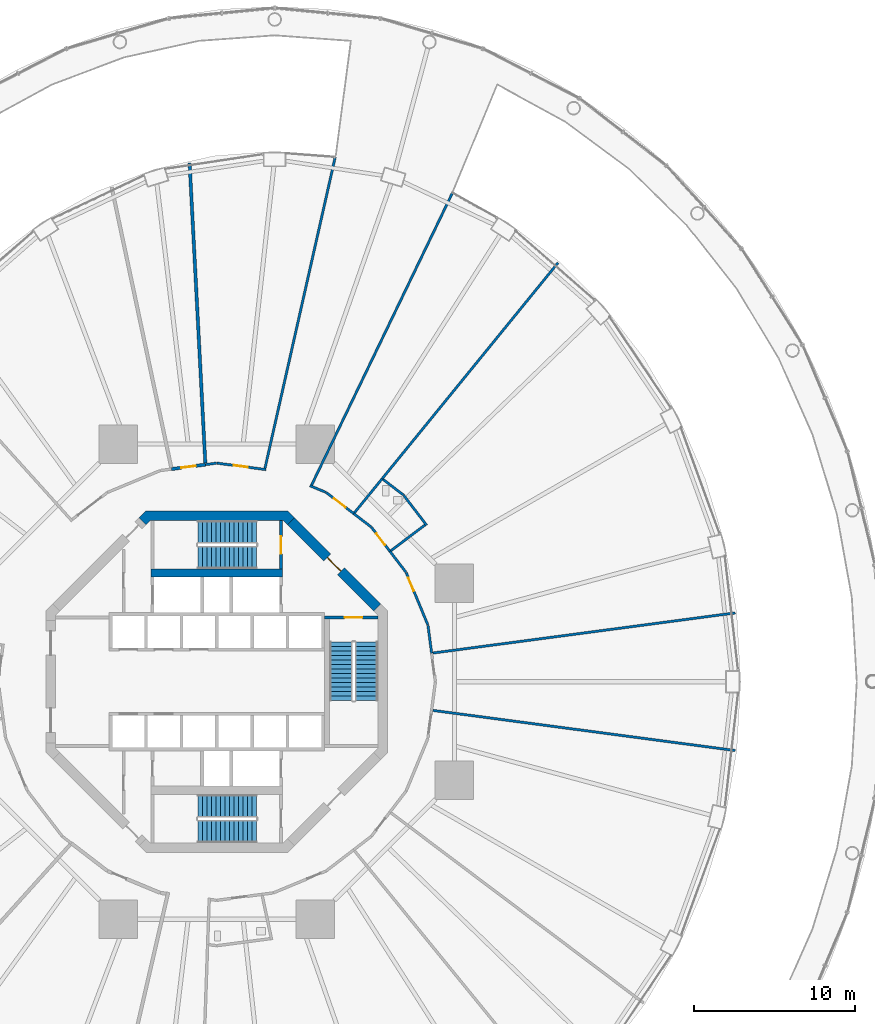
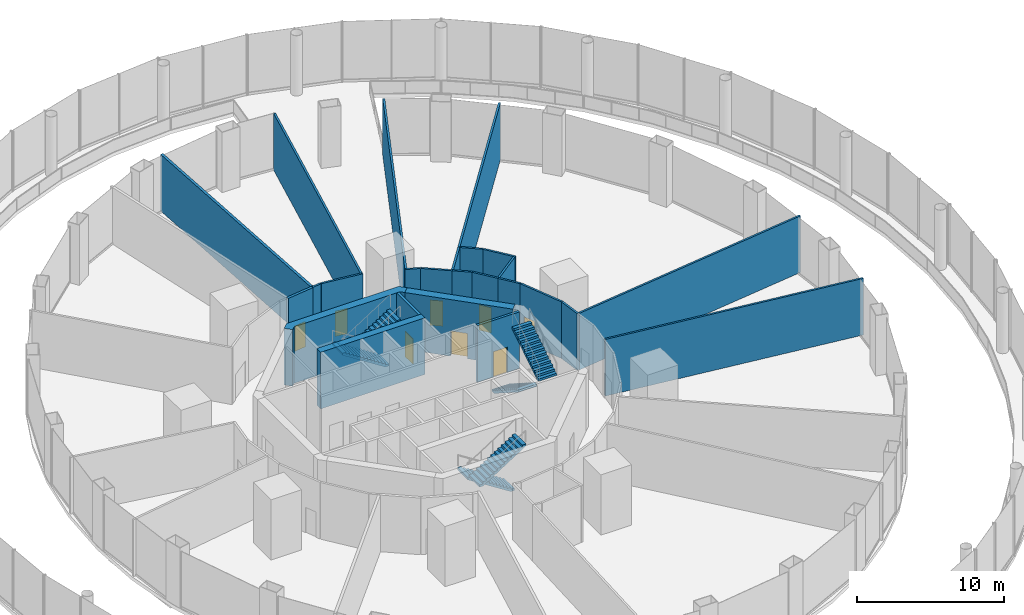
# One storey, part 44 of 47: 25 walls, 8 doors, 6 stair flights, 8 openings, 3 elements without a shape of their own.
"""IFC4 building model written with IfcOpenShell, lengths in metres."""

from ifc_helpers import new_model, si_unit, direction, frame, frame_2d, origin, place, context, subcontext, project, spatial, polyline, rectangle, outline, extrude, material, layer, layer_set, type_object, element, fill, aggregate, save


model = new_model("IFC4")

# Units and contexts
model_context = context("Model", 3, precision=1e-05, world=origin(), true_north=direction((0.0, 1.0)))
body_context = subcontext(model_context, "Body", "Model", "MODEL_VIEW")
ifc_project = project(units=[si_unit("LENGTHUNIT", "METRE"), si_unit("AREAUNIT", "SQUARE_METRE"), si_unit("VOLUMEUNIT", "CUBIC_METRE"), si_unit("PLANEANGLEUNIT", "RADIAN"), si_unit("MASSUNIT", "GRAM", prefix="KILO")], contexts=[model_context])

# Site, building, storey
site_placement = place(None, origin())
site = spatial("IfcSite", under=ifc_project, at=site_placement, CompositionType="ELEMENT")
building_placement = place(site_placement, origin())
building = spatial("IfcBuilding", under=site, at=building_placement, Name="Nagisa Residences", CompositionType="ELEMENT")
storey_placement = place(building_placement, frame((0.0, 0.0, 17.0)))
storey = spatial("IfcBuildingStorey", under=building, at=storey_placement, Name="L03", CompositionType="ELEMENT", Elevation=17.0)

# Wall, opening, door
ifc_material_1 = material(Name="Concrete C60", Category="concrete")
ifc_layer_1 = layer(ifc_material_1, 0.60009765625)
ifc_layer_set_1 = layer_set([ifc_layer_1], Name="Core shear wall 600")
wall_type_1 = type_object("IfcWallType", Name="Core shear wall 600", PredefinedType="SHEAR", material=ifc_layer_set_1)
wall_1_placement = place(storey_placement, frame((9.98828125, 4.613037109375, 0.0), z_axis=(0.0, 0.0, 1.0), x_axis=(-0.707106781187, 0.707106781187, 0.0)))
wall_1 = element("IfcWall", 1, at=wall_1_placement, inside=storey, type_object=wall_type_1, Name="wall:L03:core:flat1", PredefinedType="SHEAR", context=body_context, shape_type="SweptSolid", body=[
    extrude(rectangle(XDim=7.601806640625, YDim=0.60009765625, at=frame_2d((3.80078125, 0.0))), origin(), (0.0, 0.0, 1.0), 4.699951171875),
])
opening_1_placement = place(wall_1_placement, frame((3.200927734375, 0.0, 0.0)))
opening_1 = element("IfcOpeningElement", 2, at=opening_1_placement, cuts=wall_1, Name="Opening L03-C15", PredefinedType="OPENING", context=body_context, shape_type="SweptSolid", body=[
    extrude(rectangle(XDim=1.199951171875, YDim=2.10009765625, at=frame_2d((0.60009765625, 1.050048828125))), frame((0.0, 0.31005859375, 0.0), z_axis=(0.0, -1.0, 0.0), x_axis=(1.0, 0.0, 0.0)), (0.0, 0.0, 1.0), 0.6201171875),
])
ifc_material_2 = material(Name="Steel fire door", Category="steel")
door_type_1 = type_object("IfcDoorType", Name="Fire door EI60 1200x2100 single swing", OperationType="NOTDEFINED", PredefinedType="DOOR", material=ifc_material_2)
door_1_placement = place(opening_1_placement, origin())
door_1 = element("IfcDoor", 3, at=door_1_placement, inside=storey, type_object=door_type_1, Name="Firefighting lobby 1 door L03", OperationType="SINGLE_SWING_RIGHT", OverallHeight=2.10009765625, OverallWidth=1.199951171875, PredefinedType="DOOR", context=body_context, shape_type="SweptSolid", body=[
    extrude(rectangle(XDim=1.199951171875, YDim=2.10009765625, at=frame_2d((0.60009765625, 1.050048828125))), frame((0.0, 0.02490234375, 0.0), z_axis=(0.0, -1.0, 0.0), x_axis=(1.0, 0.0, 0.0)), (0.0, 0.0, 1.0), 0.050048828125),
])
fill(opening_1, door_1)

# Wall
wall_2_placement = place(storey_placement, origin())
element("IfcWall", 4, at=wall_2_placement, inside=storey, type_object=wall_type_1, Name="wall:L03:core:flat2", PredefinedType="SHEAR", context=body_context, shape_type="SweptSolid", body=[
    extrude(outline(polyline([(-4.15234375, 10.024658203125), (-4.40087890625, 9.776123046875), (-4.8251953125, 10.200439453125), (-4.40087890625, 10.62451171875), (4.40087890625, 10.62451171875), (4.8251953125, 10.200439453125), (4.40087890625, 9.776123046875), (4.15234375, 10.024658203125), (-4.15234375, 10.024658203125)])), origin(), (0.0, 0.0, 1.0), 4.699951171875),
])

# Wall, opening, door
ifc_material_3 = material(Name="Gypsum board on steel studs", Category="steel")
ifc_layer_2 = layer(ifc_material_3, 0.199951171875)
ifc_layer_set_2 = layer_set([ifc_layer_2], Name="Plant room wall EI120 200")
wall_type_2 = type_object("IfcWallType", Name="Plant room wall EI120 200", PredefinedType="PARTITIONING", material=ifc_layer_set_2)
wall_3_placement = place(storey_placement, frame((-2.81201171875, 13.229736328125, 0.0), z_axis=(0.0, 0.0, 1.0), x_axis=(0.991438625664, 0.130573548402, 0.0)))
wall_3 = element("IfcWall", 5, at=wall_3_placement, inside=storey, type_object=wall_type_2, Name="wall:L03:am055", PredefinedType="PARTITIONING", context=body_context, shape_type="SweptSolid", body=[
    extrude(rectangle(XDim=2.1220703125, YDim=0.199951171875, at=frame_2d((1.06103515625, 0.0))), origin(), (0.0, 0.0, 1.0), 4.699951171875),
])
opening_2_placement = place(wall_3_placement, frame((0.611083984375, 0.0, 0.0)))
opening_2 = element("IfcOpeningElement", 6, at=opening_2_placement, cuts=wall_3, Name="Opening L03-A05", PredefinedType="OPENING", context=body_context, shape_type="SweptSolid", body=[
    extrude(rectangle(XDim=0.89990234375, YDim=2.10009765625, at=frame_2d((0.449951171875, 1.050048828125))), frame((0.0, 0.10986328125, 0.0), z_axis=(0.0, -1.0, 0.0), x_axis=(1.0, 0.0, 0.0)), (0.0, 0.0, 1.0), 0.219970703125),
])
ifc_material_4 = material(Name="Steel fire door", Category="steel")
door_type_2 = type_object("IfcDoorType", Name="Fire door EI120 900x2100 single swing", OperationType="NOTDEFINED", PredefinedType="DOOR", material=ifc_material_4)
door_2_placement = place(opening_2_placement, origin())
door_2 = element("IfcDoor", 7, at=door_2_placement, inside=storey, type_object=door_type_2, Name="Cinema projection room door", OperationType="SINGLE_SWING_LEFT", OverallHeight=2.10009765625, OverallWidth=0.89990234375, PredefinedType="DOOR", context=body_context, shape_type="SweptSolid", body=[
    extrude(rectangle(XDim=0.89990234375, YDim=2.10009765625, at=frame_2d((0.449951171875, 1.050048828125))), frame((0.0, 0.02490234375, 0.0), z_axis=(0.0, -1.0, 0.0), x_axis=(1.0, 0.0, 0.0)), (0.0, 0.0, 1.0), 0.050048828125),
])
fill(opening_2, door_2)

# Walls
wall_4_placement = place(storey_placement, frame((-0.713134765625, 13.60693359375, 0.0), z_axis=(0.0, 0.0, 1.0), x_axis=(-0.05233398673, 0.99862963797, 0.0)))
element("IfcWall", 8, at=wall_4_placement, inside=storey, type_object=wall_type_2, Name="wall:L03:am056", PredefinedType="PARTITIONING", context=body_context, shape_type="SweptSolid", body=[
    extrude(rectangle(XDim=18.69287109375, YDim=0.199951171875, at=frame_2d((9.346435546875, 0.0))), origin(), (0.0, 0.0, 1.0), 4.699951171875),
])
ifc_material_5 = material(Name="Gypsum board on steel studs", Category="steel")
ifc_layer_3 = layer(ifc_material_5, 0.14990234375)
ifc_layer_set_3 = layer_set([ifc_layer_3], Name="Room partition EI60 150")
wall_type_3 = type_object("IfcWallType", Name="Room partition EI60 150", PredefinedType="PARTITIONING", material=ifc_layer_set_3)
wall_5_placement = place(storey_placement, frame((-0.7080078125, 13.5068359375, 0.0), z_axis=(0.0, 0.0, 1.0), x_axis=(0.991466123966, 0.130364585024, 0.0)))
element("IfcWall", 9, at=wall_5_placement, inside=storey, type_object=wall_type_3, Name="wall:L03:am012", PredefinedType="PARTITIONING", context=body_context, shape_type="SweptSolid", body=[
    extrude(rectangle(XDim=0.702392578125, YDim=0.14990234375, at=frame_2d((0.35107421875, 0.0))), origin(), (0.0, 0.0, 1.0), 4.699951171875),
])

# Wall, opening, door
wall_6_placement = place(storey_placement, frame((0.01171875, 13.598388671875, 0.0), z_axis=(0.0, 0.0, 1.0), x_axis=(0.991450776896, -0.130481251495, 0.0)))
wall_6 = element("IfcWall", 10, at=wall_6_placement, inside=storey, type_object=wall_type_3, Name="wall:L03:am017", PredefinedType="PARTITIONING", context=body_context, shape_type="SweptSolid", body=[
    extrude(rectangle(XDim=3.070556640625, YDim=0.14990234375, at=frame_2d((1.53515625, 0.0))), origin(), (0.0, 0.0, 1.0), 4.699951171875),
])
opening_3_placement = place(wall_6_placement, frame((1.04150390625, 0.0, 0.0)))
opening_3 = element("IfcOpeningElement", 11, at=opening_3_placement, cuts=wall_6, Name="Opening L03-A04", PredefinedType="OPENING", context=body_context, shape_type="SweptSolid", body=[
    extrude(rectangle(XDim=0.89990234375, YDim=2.10009765625, at=frame_2d((0.449951171875, 1.050048828125))), frame((0.0, 0.0849609375, 0.0), z_axis=(0.0, -1.0, 0.0), x_axis=(1.0, 0.0, 0.0)), (0.0, 0.0, 1.0), 0.169921875),
])
ifc_material_6 = material(Name="Steel fire door", Category="steel")
door_type_3 = type_object("IfcDoorType", Name="Fire door EI30 900x2100 single swing", OperationType="NOTDEFINED", PredefinedType="DOOR", material=ifc_material_6)
door_3_placement = place(opening_3_placement, origin())
door_3 = element("IfcDoor", 12, at=door_3_placement, inside=storey, type_object=door_type_3, Name="Meeting room 2 door", OperationType="SINGLE_SWING_RIGHT", OverallHeight=2.10009765625, OverallWidth=0.89990234375, PredefinedType="DOOR", context=body_context, shape_type="SweptSolid", body=[
    extrude(rectangle(XDim=0.89990234375, YDim=2.10009765625, at=frame_2d((0.449951171875, 1.050048828125))), frame((0.0, 0.02490234375, 0.0), z_axis=(0.0, -1.0, 0.0), x_axis=(1.0, 0.0, 0.0)), (0.0, 0.0, 1.0), 0.050048828125),
])
fill(opening_3, door_3)

# Walls
wall_7_placement = place(storey_placement, frame((2.997802734375, 13.281005859375, 0.0), z_axis=(0.0, 0.0, 1.0), x_axis=(0.220191699756, 0.975456618901, 0.0)))
element("IfcWall", 13, at=wall_7_placement, inside=storey, type_object=wall_type_3, Name="wall:L03:am020", PredefinedType="PARTITIONING", context=body_context, shape_type="SweptSolid", body=[
    extrude(rectangle(XDim=19.82470703125, YDim=0.14990234375, at=frame_2d((9.912353515625, 0.0))), origin(), (0.0, 0.0, 1.0), 4.699951171875),
])
wall_8_placement = place(storey_placement, frame((5.79541015625, 12.194091796875, 0.0), z_axis=(0.0, 0.0, 1.0), x_axis=(0.923867429555, -0.382712650179, 0.0)))
element("IfcWall", 14, at=wall_8_placement, inside=storey, type_object=wall_type_3, Name="wall:L03:am023", PredefinedType="PARTITIONING", context=body_context, shape_type="SweptSolid", body=[
    extrude(rectangle(XDim=1.075439453125, YDim=0.14990234375, at=frame_2d((0.53759765625, 0.0))), origin(), (0.0, 0.0, 1.0), 4.699951171875),
])

# Wall, opening, door
wall_9_placement = place(storey_placement, frame((6.809326171875, 11.770751953125, 0.0), z_axis=(0.0, 0.0, 1.0), x_axis=(0.793372937326, -0.608735888805, 0.0)))
wall_9 = element("IfcWall", 15, at=wall_9_placement, inside=storey, type_object=wall_type_3, Name="wall:L03:am025", PredefinedType="PARTITIONING", context=body_context, shape_type="SweptSolid", body=[
    extrude(rectangle(XDim=2.1552734375, YDim=0.14990234375, at=frame_2d((1.07763671875, 0.0))), origin(), (0.0, 0.0, 1.0), 4.699951171875),
])
opening_4_placement = place(wall_9_placement, frame((0.62158203125, 0.0, 0.0)))
opening_4 = element("IfcOpeningElement", 16, at=opening_4_placement, cuts=wall_9, Name="Opening L03-A03", PredefinedType="OPENING", context=body_context, shape_type="SweptSolid", body=[
    extrude(rectangle(XDim=0.89990234375, YDim=2.10009765625, at=frame_2d((0.449951171875, 1.050048828125))), frame((0.0, 0.0849609375, 0.0), z_axis=(0.0, -1.0, 0.0), x_axis=(1.0, 0.0, 0.0)), (0.0, 0.0, 1.0), 0.169921875),
])
door_4_placement = place(opening_4_placement, origin())
door_4 = element("IfcDoor", 17, at=door_4_placement, inside=storey, type_object=door_type_3, Name="Meeting room 1 door", OperationType="SINGLE_SWING_LEFT", OverallHeight=2.10009765625, OverallWidth=0.89990234375, PredefinedType="DOOR", context=body_context, shape_type="SweptSolid", body=[
    extrude(rectangle(XDim=0.89990234375, YDim=2.10009765625, at=frame_2d((0.449951171875, 1.050048828125))), frame((0.0, 0.02490234375, 0.0), z_axis=(0.0, -1.0, 0.0), x_axis=(1.0, 0.0, 0.0)), (0.0, 0.0, 1.0), 0.050048828125),
])
fill(opening_4, door_4)

# Walls
wall_10_placement = place(storey_placement, frame((8.519287109375, 10.458740234375, 0.0), z_axis=(0.0, 0.0, 1.0), x_axis=(0.793371316762, -0.6087380009, 0.0)))
element("IfcWall", 18, at=wall_10_placement, inside=storey, type_object=wall_type_3, Name="wall:L03:am028", PredefinedType="PARTITIONING", context=body_context, shape_type="SweptSolid", body=[
    extrude(rectangle(XDim=1.371337890625, YDim=0.14990234375, at=frame_2d((0.685546875, 0.0))), origin(), (0.0, 0.0, 1.0), 4.699951171875),
])
wall_11_placement = place(storey_placement, frame((8.566650390625, 10.51708984375, 0.0), z_axis=(0.0, 0.0, 1.0), x_axis=(0.631573271363, 0.775316195432, 0.0)))
element("IfcWall", 19, at=wall_11_placement, inside=storey, type_object=wall_type_3, Name="wall:L03:am029", PredefinedType="PARTITIONING", context=body_context, shape_type="SweptSolid", body=[
    extrude(rectangle(XDim=2.72607421875, YDim=0.14990234375, at=frame_2d((1.363037109375, 0.0))), origin(), (0.0, 0.0, 1.0), 4.699951171875),
])

# Wall, opening, door
wall_12_placement = place(storey_placement, frame((9.6240234375, 9.607177734375, 0.0), z_axis=(0.0, 0.0, 1.0), x_axis=(0.608754453805, -0.793358692504, 0.0)))
wall_12 = element("IfcWall", 20, at=wall_12_placement, inside=storey, type_object=wall_type_3, Name="wall:L03:am031", PredefinedType="PARTITIONING", context=body_context, shape_type="SweptSolid", body=[
    extrude(rectangle(XDim=1.888427734375, YDim=0.14990234375, at=frame_2d((0.9443359375, 0.0))), origin(), (0.0, 0.0, 1.0), 4.699951171875),
])
opening_5_placement = place(wall_12_placement, frame((0.48828125, 0.0, 0.0)))
opening_5 = element("IfcOpeningElement", 21, at=opening_5_placement, cuts=wall_12, Name="Opening L03-A01", PredefinedType="OPENING", context=body_context, shape_type="SweptSolid", body=[
    extrude(rectangle(XDim=0.89990234375, YDim=2.10009765625, at=frame_2d((0.449951171875, 1.050048828125))), frame((0.0, 0.0849609375, 0.0), z_axis=(0.0, -1.0, 0.0), x_axis=(1.0, 0.0, 0.0)), (0.0, 0.0, 1.0), 0.169921875),
])
door_5_placement = place(opening_5_placement, origin())
door_5 = element("IfcDoor", 22, at=door_5_placement, inside=storey, type_object=door_type_3, Name="Accessible WC door", OperationType="SINGLE_SWING_LEFT", OverallHeight=2.10009765625, OverallWidth=0.89990234375, PredefinedType="DOOR", context=body_context, shape_type="SweptSolid", body=[
    extrude(rectangle(XDim=0.89990234375, YDim=2.10009765625, at=frame_2d((0.449951171875, 1.050048828125))), frame((0.0, 0.02490234375, 0.0), z_axis=(0.0, -1.0, 0.0), x_axis=(1.0, 0.0, 0.0)), (0.0, 0.0, 1.0), 0.050048828125),
])
fill(opening_5, door_5)

# Walls
wall_13_placement = place(storey_placement, frame((10.347900390625, 12.5849609375, 0.0), z_axis=(0.0, 0.0, 1.0), x_axis=(0.793328373205, -0.608793965368, 0.0)))
element("IfcWall", 23, at=wall_13_placement, inside=storey, type_object=wall_type_3, Name="wall:L03:am032", PredefinedType="PARTITIONING", context=body_context, shape_type="SweptSolid", body=[
    extrude(rectangle(XDim=1.583740234375, YDim=0.14990234375, at=frame_2d((0.7919921875, 0.0))), origin(), (0.0, 0.0, 1.0), 4.699951171875),
])
wall_14_placement = place(storey_placement, frame((10.288330078125, 12.630615234375, 0.0), z_axis=(0.0, 0.0, 1.0), x_axis=(0.631546535922, 0.77533797338, 0.0)))
element("IfcWall", 24, at=wall_14_placement, inside=storey, type_object=wall_type_3, Name="wall:L03:am033", PredefinedType="PARTITIONING", context=body_context, shape_type="SweptSolid", body=[
    extrude(rectangle(XDim=17.3251953125, YDim=0.14990234375, at=frame_2d((8.66259765625, 0.0))), origin(), (0.0, 0.0, 1.0), 4.699951171875),
])
wall_15_placement = place(storey_placement, frame((10.773681640625, 8.10888671875, 0.0), z_axis=(0.0, 0.0, 1.0), x_axis=(0.608716251771, -0.793388003961, 0.0)))
element("IfcWall", 25, at=wall_15_placement, inside=storey, type_object=wall_type_3, Name="wall:L03:am036", PredefinedType="PARTITIONING", context=body_context, shape_type="SweptSolid", body=[
    extrude(rectangle(XDim=1.637939453125, YDim=0.14990234375, at=frame_2d((0.81884765625, 0.0))), origin(), (0.0, 0.0, 1.0), 4.699951171875),
])
wall_16_placement = place(storey_placement, frame((11.620849609375, 11.604248046875, 0.0), z_axis=(0.0, 0.0, 1.0), x_axis=(0.608759688573, -0.793354675771, 0.0)))
element("IfcWall", 26, at=wall_16_placement, inside=storey, type_object=wall_type_3, Name="wall:L03:am037", PredefinedType="PARTITIONING", context=body_context, shape_type="SweptSolid", body=[
    extrude(rectangle(XDim=2.358154296875, YDim=0.14990234375, at=frame_2d((1.17919921875, 0.0))), origin(), (0.0, 0.0, 1.0), 4.699951171875),
])

# Wall, opening, door
wall_17_placement = place(storey_placement, frame((11.782470703125, 6.7890625, 0.0), z_axis=(0.0, 0.0, 1.0), x_axis=(0.382677866108, -0.923881838111, 0.0)))
wall_17 = element("IfcWall", 27, at=wall_17_placement, inside=storey, type_object=wall_type_3, Name="wall:L03:am039", PredefinedType="PARTITIONING", context=body_context, shape_type="SweptSolid", body=[
    extrude(rectangle(XDim=3.52685546875, YDim=0.14990234375, at=frame_2d((1.763427734375, 0.0))), origin(), (0.0, 0.0, 1.0), 4.699951171875),
])
opening_6_placement = place(wall_17_placement, frame((0.345703125, 0.0, 0.0)))
opening_6 = element("IfcOpeningElement", 28, at=opening_6_placement, cuts=wall_17, Name="Opening L03-A02", PredefinedType="OPENING", context=body_context, shape_type="SweptSolid", body=[
    extrude(rectangle(XDim=0.89990234375, YDim=2.10009765625, at=frame_2d((0.449951171875, 1.050048828125))), frame((0.0, 0.0849609375, 0.0), z_axis=(0.0, -1.0, 0.0), x_axis=(1.0, 0.0, 0.0)), (0.0, 0.0, 1.0), 0.169921875),
])
door_6_placement = place(opening_6_placement, origin())
door_6 = element("IfcDoor", 29, at=door_6_placement, inside=storey, type_object=door_type_3, Name="Archive store door", OperationType="SINGLE_SWING_RIGHT", OverallHeight=2.10009765625, OverallWidth=0.89990234375, PredefinedType="DOOR", context=body_context, shape_type="SweptSolid", body=[
    extrude(rectangle(XDim=0.89990234375, YDim=2.10009765625, at=frame_2d((0.449951171875, 1.050048828125))), frame((0.0, 0.02490234375, 0.0), z_axis=(0.0, -1.0, 0.0), x_axis=(1.0, 0.0, 0.0)), (0.0, 0.0, 1.0), 0.050048828125),
])
fill(opening_6, door_6)

# Walls
wall_18_placement = place(storey_placement, frame((12.950927734375, 9.747802734375, 0.0), z_axis=(0.0, 0.0, 1.0), x_axis=(-0.798970748419, -0.601369888813, 0.0)))
element("IfcWall", 30, at=wall_18_placement, inside=storey, type_object=wall_type_3, Name="wall:L03:am040", PredefinedType="PARTITIONING", context=body_context, shape_type="SweptSolid", body=[
    extrude(rectangle(XDim=2.650146484375, YDim=0.14990234375, at=frame_2d((1.3251953125, 0.0))), origin(), (0.0, 0.0, 1.0), 4.699951171875),
])
wall_19_placement = place(storey_placement, frame((13.13818359375, 3.508056640625, 0.0), z_axis=(0.0, 0.0, 1.0), x_axis=(0.130526735914, -0.991444789795, 0.0)))
element("IfcWall", 31, at=wall_19_placement, inside=storey, type_object=wall_type_3, Name="wall:L03:am042", PredefinedType="PARTITIONING", context=body_context, shape_type="SweptSolid", body=[
    extrude(rectangle(XDim=1.748779296875, YDim=0.14990234375, at=frame_2d((0.87451171875, 0.0))), origin(), (0.0, 0.0, 1.0), 4.699951171875),
])
wall_20_placement = place(storey_placement, frame((13.440673828125, -1.783935546875, 0.0), z_axis=(0.0, 0.0, 1.0), x_axis=(0.991305479384, -0.131580570535, 0.0)))
element("IfcWall", 32, at=wall_20_placement, inside=storey, type_object=wall_type_3, Name="wall:L03:am044", PredefinedType="PARTITIONING", context=body_context, shape_type="SweptSolid", body=[
    extrude(rectangle(XDim=18.9775390625, YDim=0.14990234375, at=frame_2d((9.48876953125, 0.0))), origin(), (0.0, 0.0, 1.0), 4.699951171875),
])
wall_21_placement = place(storey_placement, frame((14.654296875, 30.397705078125, 0.0), z_axis=(0.0, 0.0, 1.0), x_axis=(-0.434261119912, -0.900787033506, 0.0)))
element("IfcWall", 33, at=wall_21_placement, inside=storey, type_object=wall_type_3, Name="wall:L03:am047", PredefinedType="PARTITIONING", context=body_context, shape_type="SweptSolid", body=[
    extrude(rectangle(XDim=20.16552734375, YDim=0.14990234375, at=frame_2d((10.082763671875, 0.0))), origin(), (0.0, 0.0, 1.0), 4.699951171875),
])
wall_22_placement = place(storey_placement, frame((32.253173828125, 4.281005859375, 0.0), z_axis=(0.0, 0.0, 1.0), x_axis=(-0.991305479384, -0.131580570535, 0.0)))
element("IfcWall", 34, at=wall_22_placement, inside=storey, type_object=wall_type_3, Name="wall:L03:am048", PredefinedType="PARTITIONING", context=body_context, shape_type="SweptSolid", body=[
    extrude(rectangle(XDim=18.9775390625, YDim=0.14990234375, at=frame_2d((9.48876953125, 0.0))), origin(), (0.0, 0.0, 1.0), 4.699951171875),
])

# Wall, opening, door
ifc_material_7 = material(Name="Concrete C60", Category="concrete")
ifc_layer_4 = layer(ifc_material_7, 0.199951171875)
ifc_layer_set_4 = layer_set([ifc_layer_4], Name="Stair enclosure wall 200")
wall_type_4 = type_object("IfcWallType", Name="Stair enclosure wall 200", PredefinedType="SOLIDWALL", material=ifc_layer_set_4)
wall_23_placement = place(storey_placement, frame((6.699951171875, 4.0, 0.0), z_axis=(0.0, 0.0, 1.0), x_axis=(1.0, 0.0, 0.0)))
wall_23 = element("IfcWall", 35, at=wall_23_placement, inside=storey, type_object=wall_type_4, Name="wall:L03:SE_n", PredefinedType="SOLIDWALL", context=body_context, shape_type="SweptSolid", body=[
    extrude(rectangle(XDim=3.32470703125, YDim=0.199951171875, at=frame_2d((1.662353515625, 0.0))), origin(), (0.0, 0.0, 1.0), 4.699951171875),
])
opening_7_placement = place(wall_23_placement, frame((1.25, 0.0, 0.0)))
opening_7 = element("IfcOpeningElement", 36, at=opening_7_placement, cuts=wall_23, Name="Opening L03-C09", PredefinedType="OPENING", context=body_context, shape_type="SweptSolid", body=[
    extrude(rectangle(XDim=1.10009765625, YDim=2.10009765625, at=frame_2d((0.550048828125, 1.050048828125))), frame((0.0, 0.10986328125, 0.0), z_axis=(0.0, -1.0, 0.0), x_axis=(1.0, 0.0, 0.0)), (0.0, 0.0, 1.0), 0.219970703125),
])
ifc_material_8 = material(Name="Steel fire door", Category="steel")
door_type_4 = type_object("IfcDoorType", Name="Fire door EI90 1100x2100 single swing", OperationType="NOTDEFINED", PredefinedType="DOOR", material=ifc_material_8)
door_7_placement = place(opening_7_placement, frame((1.10009765625, 0.0, 0.0), x_axis=(-1.0, 0.0, 0.0)))
door_7 = element("IfcDoor", 37, at=door_7_placement, inside=storey, type_object=door_type_4, Name="Stair door ST-E L03", OperationType="SINGLE_SWING_RIGHT", OverallHeight=2.10009765625, OverallWidth=1.10009765625, PredefinedType="DOOR", context=body_context, shape_type="SweptSolid", body=[
    extrude(rectangle(XDim=1.10009765625, YDim=2.10009765625, at=frame_2d((0.550048828125, 1.050048828125))), frame((0.0, 0.02490234375, 0.0), z_axis=(0.0, -1.0, 0.0), x_axis=(1.0, 0.0, 0.0)), (0.0, 0.0, 1.0), 0.050048828125),
])
fill(opening_7, door_7)

wall_24_placement = place(storey_placement, frame((4.0, 7.024658203125, 0.0), z_axis=(0.0, 0.0, 1.0), x_axis=(0.0, 1.0, 0.0)))
wall_24 = element("IfcWall", 38, at=wall_24_placement, inside=storey, type_object=wall_type_4, Name="wall:L03:SN_e", PredefinedType="SOLIDWALL", context=body_context, shape_type="SweptSolid", body=[
    extrude(rectangle(XDim=3.0, YDim=0.199951171875, at=frame_2d((1.5, 0.0))), origin(), (0.0, 0.0, 1.0), 4.699951171875),
])
opening_8_placement = place(wall_24_placement, frame((0.92529296875, 0.0, 0.0)))
opening_8 = element("IfcOpeningElement", 39, at=opening_8_placement, cuts=wall_24, Name="Opening L03-C10", PredefinedType="OPENING", context=body_context, shape_type="SweptSolid", body=[
    extrude(rectangle(XDim=1.10009765625, YDim=2.10009765625, at=frame_2d((0.550048828125, 1.050048828125))), frame((0.0, 0.10986328125, 0.0), z_axis=(0.0, -1.0, 0.0), x_axis=(1.0, 0.0, 0.0)), (0.0, 0.0, 1.0), 0.219970703125),
])
door_8_placement = place(opening_8_placement, origin())
door_8 = element("IfcDoor", 40, at=door_8_placement, inside=storey, type_object=door_type_4, Name="Stair door ST-N L03", OperationType="SINGLE_SWING_LEFT", OverallHeight=2.10009765625, OverallWidth=1.10009765625, PredefinedType="DOOR", context=body_context, shape_type="SweptSolid", body=[
    extrude(rectangle(XDim=1.10009765625, YDim=2.10009765625, at=frame_2d((0.550048828125, 1.050048828125))), frame((0.0, 0.02490234375, 0.0), z_axis=(0.0, -1.0, 0.0), x_axis=(1.0, 0.0, 0.0)), (0.0, 0.0, 1.0), 0.050048828125),
])
fill(opening_8, door_8)

# Wall
wall_25_placement = place(storey_placement, origin())
element("IfcWall", 41, at=wall_25_placement, inside=storey, type_object=wall_type_4, Name="wall:L03:SN_s", PredefinedType="SOLIDWALL", context=body_context, shape_type="SweptSolid", body=[
    extrude(outline(polyline([(4.10009765625, 6.5), (-4.10009765625, 6.5), (-4.10009765625, 7.024658203125), (4.10009765625, 7.024658203125), (4.10009765625, 6.5)])), origin(), (0.0, 0.0, 1.0), 4.699951171875),
])

# Stair, stair flights
ifc_material_9 = material(Name="Concrete C60", Category="concrete")
stair_type = type_object("IfcStairType", Name="Exit stair", PredefinedType="HALF_TURN_STAIR", material=ifc_material_9)
stair_1_placement = place(storey_placement, origin())
stair_1 = element("IfcStair", 42, at=stair_1_placement, inside=storey, type_object=stair_type, Name="L03 Exit stair E", PredefinedType="HALF_TURN_STAIR")
ifc_material_10 = material(Name="Concrete C60", Category="concrete")
stair_flight_type = type_object("IfcStairFlightType", Name="Exit stair flight", PredefinedType="STRAIGHT", material=ifc_material_10)
stair_flight_1_placement = place(storey_placement, frame((7.737060546875, 2.47509765625, 0.0), z_axis=(0.0, 0.0, 1.0), x_axis=(0.0, -1.0, 0.0)))
stair_flight_1 = element("IfcStairFlight", 43, at=stair_flight_1_placement, type_object=stair_flight_type, Name="ST-E flight 1", NumberOfRisers=14, NumberOfTreads=13, PredefinedType="STRAIGHT", RiserHeight=0.178571429, TreadLength=0.28, context=body_context, shape_type="SweptSolid", body=[
    extrude(outline(polyline([(0.0, 0.0), (0.0, 0.178466796875), (0.280029296875, 0.178466796875), (0.280029296875, 0.357177734375), (0.56005859375, 0.357177734375), (0.56005859375, 0.53564453125), (0.840087890625, 0.53564453125), (0.840087890625, 0.71435546875), (1.1201171875, 0.71435546875), (1.1201171875, 0.892822265625), (1.39990234375, 0.892822265625), (1.39990234375, 1.071533203125), (1.679931640625, 1.071533203125), (1.679931640625, 1.25), (1.9599609375, 1.25), (1.9599609375, 1.428466796875), (2.239990234375, 1.428466796875), (2.239990234375, 1.607177734375), (2.52001953125, 1.607177734375), (2.52001953125, 1.78564453125), (2.800048828125, 1.78564453125), (2.800048828125, 1.96435546875), (3.080078125, 1.96435546875), (3.080078125, 2.142822265625), (3.360107421875, 2.142822265625), (3.360107421875, 2.321533203125), (3.639892578125, 2.321533203125), (3.639892578125, 2.5), (3.639892578125, 2.1435546875), (0.27880859375, 0.0), (0.0, 0.0)])), frame((0.0, 0.71240234375, 0.0), z_axis=(0.0, -1.0, 0.0), x_axis=(1.0, 0.0, 0.0)), (0.0, 0.0, 1.0), 1.425048828125),
])
stair_flight_2_placement = place(storey_placement, frame((9.31201171875, -1.1650390625, 2.5), z_axis=(0.0, 0.0, 1.0), x_axis=(0.0, 1.0, 0.0)))
stair_flight_2 = element("IfcStairFlight", 44, at=stair_flight_2_placement, type_object=stair_flight_type, Name="ST-E flight 2", NumberOfRisers=14, NumberOfTreads=13, PredefinedType="STRAIGHT", RiserHeight=0.178571429, TreadLength=0.28, context=body_context, shape_type="SweptSolid", body=[
    extrude(outline(polyline([(0.0, 0.0), (0.0, 0.178466796875), (0.280029296875, 0.178466796875), (0.280029296875, 0.357177734375), (0.56005859375, 0.357177734375), (0.56005859375, 0.53564453125), (0.840087890625, 0.53564453125), (0.840087890625, 0.71435546875), (1.1201171875, 0.71435546875), (1.1201171875, 0.892822265625), (1.39990234375, 0.892822265625), (1.39990234375, 1.071533203125), (1.679931640625, 1.071533203125), (1.679931640625, 1.25), (1.9599609375, 1.25), (1.9599609375, 1.428466796875), (2.239990234375, 1.428466796875), (2.239990234375, 1.607177734375), (2.52001953125, 1.607177734375), (2.52001953125, 1.78564453125), (2.800048828125, 1.78564453125), (2.800048828125, 1.96435546875), (3.080078125, 1.96435546875), (3.080078125, 2.142822265625), (3.360107421875, 2.142822265625), (3.360107421875, 2.321533203125), (3.639892578125, 2.321533203125), (3.639892578125, 2.5), (3.639892578125, 2.1435546875), (0.27880859375, 0.0), (0.0, 0.0)])), frame((0.0, 0.71240234375, 0.0), z_axis=(0.0, -1.0, 0.0), x_axis=(1.0, 0.0, 0.0)), (0.0, 0.0, 1.0), 1.425048828125),
])
aggregate(stair_1, [stair_flight_1, stair_flight_2])

stair_2_placement = place(storey_placement, origin())
stair_2 = element("IfcStair", 45, at=stair_2_placement, inside=storey, type_object=stair_type, Name="L03 Exit stair N", PredefinedType="HALF_TURN_STAIR")
stair_flight_3_placement = place(storey_placement, frame((2.47509765625, 9.31201171875, 0.0), z_axis=(0.0, 0.0, 1.0), x_axis=(-1.0, 0.0, 0.0)))
stair_flight_3 = element("IfcStairFlight", 46, at=stair_flight_3_placement, type_object=stair_flight_type, Name="ST-N flight 1", NumberOfRisers=14, NumberOfTreads=13, PredefinedType="STRAIGHT", RiserHeight=0.178571429, TreadLength=0.28, context=body_context, shape_type="SweptSolid", body=[
    extrude(outline(polyline([(0.0, 0.0), (0.0, 0.178466796875), (0.280029296875, 0.178466796875), (0.280029296875, 0.357177734375), (0.56005859375, 0.357177734375), (0.56005859375, 0.53564453125), (0.840087890625, 0.53564453125), (0.840087890625, 0.71435546875), (1.1201171875, 0.71435546875), (1.1201171875, 0.892822265625), (1.39990234375, 0.892822265625), (1.39990234375, 1.071533203125), (1.679931640625, 1.071533203125), (1.679931640625, 1.25), (1.9599609375, 1.25), (1.9599609375, 1.428466796875), (2.239990234375, 1.428466796875), (2.239990234375, 1.607177734375), (2.52001953125, 1.607177734375), (2.52001953125, 1.78564453125), (2.800048828125, 1.78564453125), (2.800048828125, 1.96435546875), (3.080078125, 1.96435546875), (3.080078125, 2.142822265625), (3.360107421875, 2.142822265625), (3.360107421875, 2.321533203125), (3.639892578125, 2.321533203125), (3.639892578125, 2.5), (3.639892578125, 2.1435546875), (0.27880859375, 0.0), (0.0, 0.0)])), frame((0.0, 0.71240234375, 0.0), z_axis=(0.0, -1.0, 0.0), x_axis=(1.0, 0.0, 0.0)), (0.0, 0.0, 1.0), 1.425048828125),
])
stair_flight_4_placement = place(storey_placement, frame((-1.1650390625, 7.737060546875, 2.5), z_axis=(0.0, 0.0, 1.0), x_axis=(1.0, 0.0, 0.0)))
stair_flight_4 = element("IfcStairFlight", 47, at=stair_flight_4_placement, type_object=stair_flight_type, Name="ST-N flight 2", NumberOfRisers=14, NumberOfTreads=13, PredefinedType="STRAIGHT", RiserHeight=0.178571429, TreadLength=0.28, context=body_context, shape_type="SweptSolid", body=[
    extrude(outline(polyline([(0.0, 0.0), (0.0, 0.178466796875), (0.280029296875, 0.178466796875), (0.280029296875, 0.357177734375), (0.56005859375, 0.357177734375), (0.56005859375, 0.53564453125), (0.840087890625, 0.53564453125), (0.840087890625, 0.71435546875), (1.1201171875, 0.71435546875), (1.1201171875, 0.892822265625), (1.39990234375, 0.892822265625), (1.39990234375, 1.071533203125), (1.679931640625, 1.071533203125), (1.679931640625, 1.25), (1.9599609375, 1.25), (1.9599609375, 1.428466796875), (2.239990234375, 1.428466796875), (2.239990234375, 1.607177734375), (2.52001953125, 1.607177734375), (2.52001953125, 1.78564453125), (2.800048828125, 1.78564453125), (2.800048828125, 1.96435546875), (3.080078125, 1.96435546875), (3.080078125, 2.142822265625), (3.360107421875, 2.142822265625), (3.360107421875, 2.321533203125), (3.639892578125, 2.321533203125), (3.639892578125, 2.5), (3.639892578125, 2.1435546875), (0.27880859375, 0.0), (0.0, 0.0)])), frame((0.0, 0.71240234375, 0.0), z_axis=(0.0, -1.0, 0.0), x_axis=(1.0, 0.0, 0.0)), (0.0, 0.0, 1.0), 1.425048828125),
])
aggregate(stair_2, [stair_flight_3, stair_flight_4])

stair_3_placement = place(storey_placement, origin())
stair_3 = element("IfcStair", 48, at=stair_3_placement, inside=storey, type_object=stair_type, Name="L03 Exit stair S", PredefinedType="HALF_TURN_STAIR")
stair_flight_5_placement = place(storey_placement, frame((2.47509765625, -7.737060546875, 0.0), z_axis=(0.0, 0.0, 1.0), x_axis=(-1.0, 0.0, 0.0)))
stair_flight_5 = element("IfcStairFlight", 49, at=stair_flight_5_placement, type_object=stair_flight_type, Name="ST-S flight 1", NumberOfRisers=14, NumberOfTreads=13, PredefinedType="STRAIGHT", RiserHeight=0.178571429, TreadLength=0.28, context=body_context, shape_type="SweptSolid", body=[
    extrude(outline(polyline([(0.0, 0.0), (0.0, 0.178466796875), (0.280029296875, 0.178466796875), (0.280029296875, 0.357177734375), (0.56005859375, 0.357177734375), (0.56005859375, 0.53564453125), (0.840087890625, 0.53564453125), (0.840087890625, 0.71435546875), (1.1201171875, 0.71435546875), (1.1201171875, 0.892822265625), (1.39990234375, 0.892822265625), (1.39990234375, 1.071533203125), (1.679931640625, 1.071533203125), (1.679931640625, 1.25), (1.9599609375, 1.25), (1.9599609375, 1.428466796875), (2.239990234375, 1.428466796875), (2.239990234375, 1.607177734375), (2.52001953125, 1.607177734375), (2.52001953125, 1.78564453125), (2.800048828125, 1.78564453125), (2.800048828125, 1.96435546875), (3.080078125, 1.96435546875), (3.080078125, 2.142822265625), (3.360107421875, 2.142822265625), (3.360107421875, 2.321533203125), (3.639892578125, 2.321533203125), (3.639892578125, 2.5), (3.639892578125, 2.1435546875), (0.27880859375, 0.0), (0.0, 0.0)])), frame((0.0, 0.71240234375, 0.0), z_axis=(0.0, -1.0, 0.0), x_axis=(1.0, 0.0, 0.0)), (0.0, 0.0, 1.0), 1.425048828125),
])
stair_flight_6_placement = place(storey_placement, frame((-1.1650390625, -9.31201171875, 2.5), z_axis=(0.0, 0.0, 1.0), x_axis=(1.0, 0.0, 0.0)))
stair_flight_6 = element("IfcStairFlight", 50, at=stair_flight_6_placement, type_object=stair_flight_type, Name="ST-S flight 2", NumberOfRisers=14, NumberOfTreads=13, PredefinedType="STRAIGHT", RiserHeight=0.178571429, TreadLength=0.28, context=body_context, shape_type="SweptSolid", body=[
    extrude(outline(polyline([(0.0, 0.0), (0.0, 0.178466796875), (0.280029296875, 0.178466796875), (0.280029296875, 0.357177734375), (0.56005859375, 0.357177734375), (0.56005859375, 0.53564453125), (0.840087890625, 0.53564453125), (0.840087890625, 0.71435546875), (1.1201171875, 0.71435546875), (1.1201171875, 0.892822265625), (1.39990234375, 0.892822265625), (1.39990234375, 1.071533203125), (1.679931640625, 1.071533203125), (1.679931640625, 1.25), (1.9599609375, 1.25), (1.9599609375, 1.428466796875), (2.239990234375, 1.428466796875), (2.239990234375, 1.607177734375), (2.52001953125, 1.607177734375), (2.52001953125, 1.78564453125), (2.800048828125, 1.78564453125), (2.800048828125, 1.96435546875), (3.080078125, 1.96435546875), (3.080078125, 2.142822265625), (3.360107421875, 2.142822265625), (3.360107421875, 2.321533203125), (3.639892578125, 2.321533203125), (3.639892578125, 2.5), (3.639892578125, 2.1435546875), (0.27880859375, 0.0), (0.0, 0.0)])), frame((0.0, 0.71240234375, 0.0), z_axis=(0.0, -1.0, 0.0), x_axis=(1.0, 0.0, 0.0)), (0.0, 0.0, 1.0), 1.425048828125),
])
aggregate(stair_3, [stair_flight_5, stair_flight_6])

save(model, "model.ifc")
